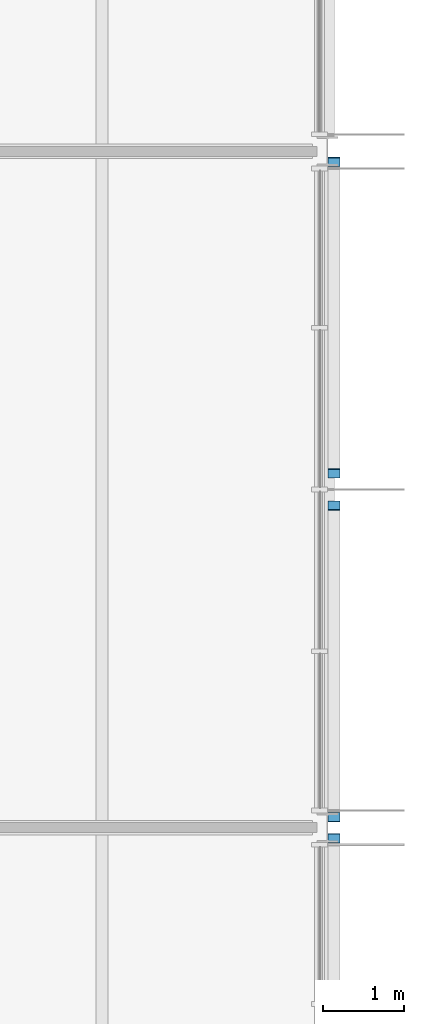
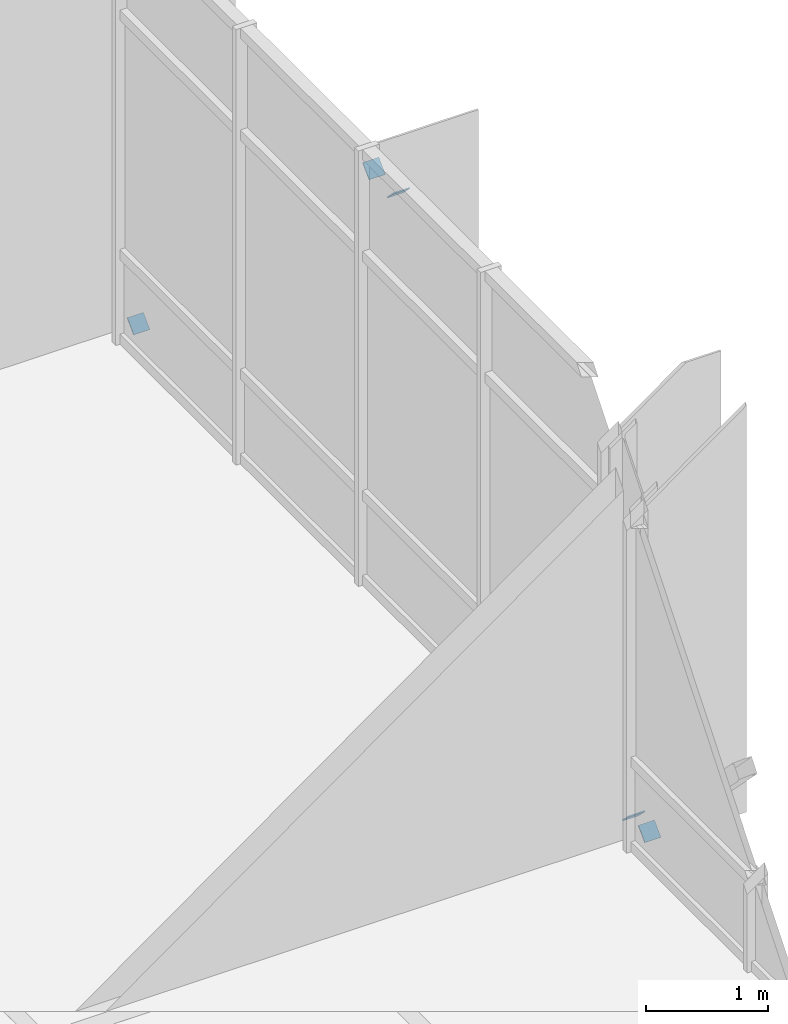
# One storey, part 15 of 17: 5 discrete accessories.
"""IFC4 building model written with IfcOpenShell, lengths in metres."""

from ifc_helpers import new_model, si_unit, direction, frame, origin, origin_2d, place, context, subcontext, project, spatial, rectangle, extrude, material, element, save


model = new_model("IFC4")

# Units and contexts
model_context = context("Model", 3, precision=1e-05, world=origin(), true_north=direction((0.0, 1.0)))
body_context = subcontext(model_context, "Body", "Model", "MODEL_VIEW")
ifc_project = project(units=[si_unit("LENGTHUNIT", "METRE"), si_unit("AREAUNIT", "SQUARE_METRE"), si_unit("VOLUMEUNIT", "CUBIC_METRE"), si_unit("PLANEANGLEUNIT", "RADIAN"), si_unit("MASSUNIT", "GRAM", prefix="KILO")], contexts=[model_context])

# Site, building, storey
site_placement = place(None, origin())
site = spatial("IfcSite", under=ifc_project, at=site_placement, CompositionType="ELEMENT")
building_placement = place(site_placement, origin())
building = spatial("IfcBuilding", under=site, at=building_placement, Name="Hlaing Beacon Police Headquarters", CompositionType="ELEMENT")
storey_placement = place(building_placement, frame((0.0, 0.0, 36.89990234375)))
storey = spatial("IfcBuildingStorey", under=building, at=storey_placement, Name="L08", CompositionType="ELEMENT", Elevation=36.89990234375)

# Discrete accessories
ifc_material = material(Name="Steel ASTM A572 Grade 50", Category="steel")
for number, where, z_axis, x_axis, name in (
    (1, (126.080078125, 50.265869140625, 0.058349609375), (0.0, 0.704124468733, -0.710076568077), (-1.0, 0.0, 0.0), "Gusset plate GP-139"),
    (2, (126.080078125, 50.5341796875, 0.058349609375), (0.0, -0.70410207141, -0.710098776958), (1.0, 0.0, 0.0), "Gusset plate GP-141"),
    (3, (126.080078125, 54.3955078125, 3.95263671875), (0.0, 0.70410207141, 0.710098776958), (-1.0, 0.0, 0.0), "Gusset plate GP-142"),
    (4, (126.080078125, 58.665771484375, 0.058349609375), (0.0, 0.70410207141, -0.710098776958), (-1.0, 0.0, 0.0), "Gusset plate GP-143"),
    (5, (126.080078125, 54.804443359375, 3.95263671875), (0.0, -0.70410207141, 0.710098776958), (1.0, 0.0, 0.0), "Gusset plate GP-144"),
):
    element("IfcDiscreteAccessory", number, at=place(storey_placement, frame(where, z_axis=z_axis, x_axis=x_axis)), inside=storey, material=ifc_material, Name=name, PredefinedType="BRACKET", context=body_context, shape_type="SweptSolid", body=[
        extrude(rectangle(XDim=0.15234375, YDim=0.15234375, at=origin_2d()), origin(), (0.0, 0.0, 1.0), 0.011962890625),
    ])

save(model, "model.ifc")
